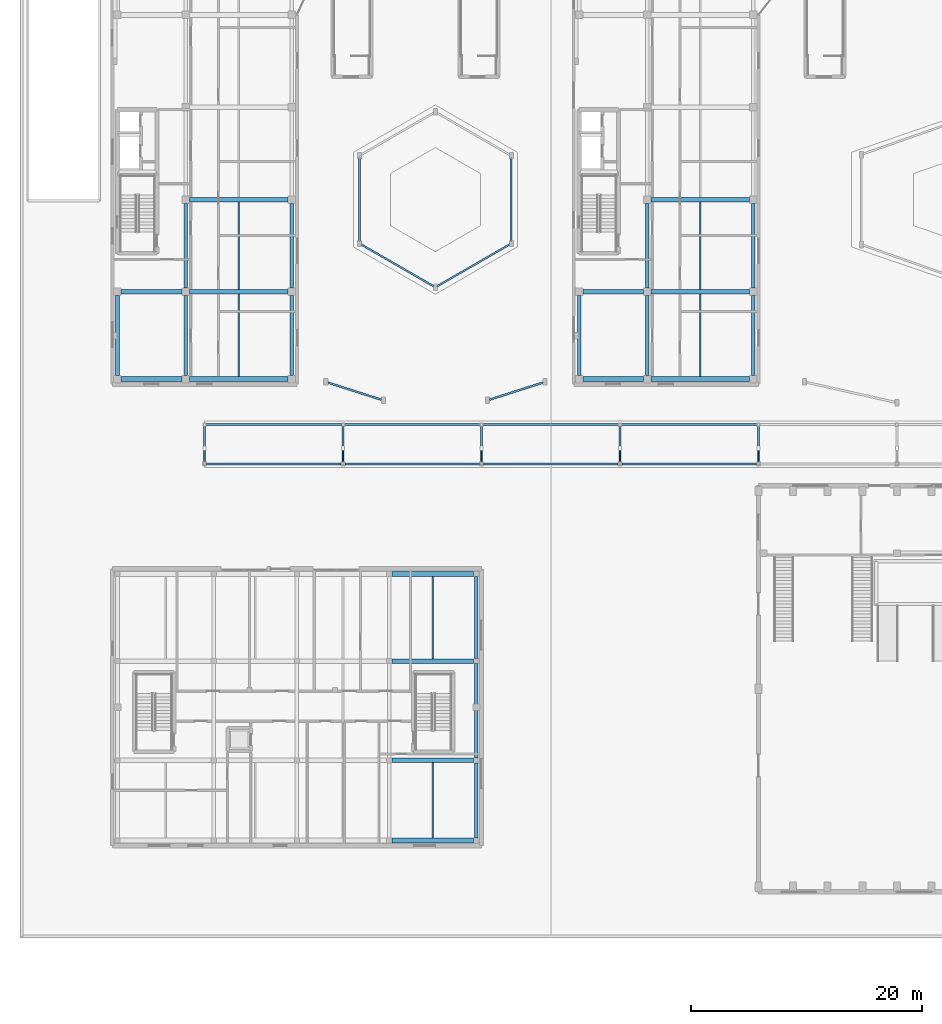
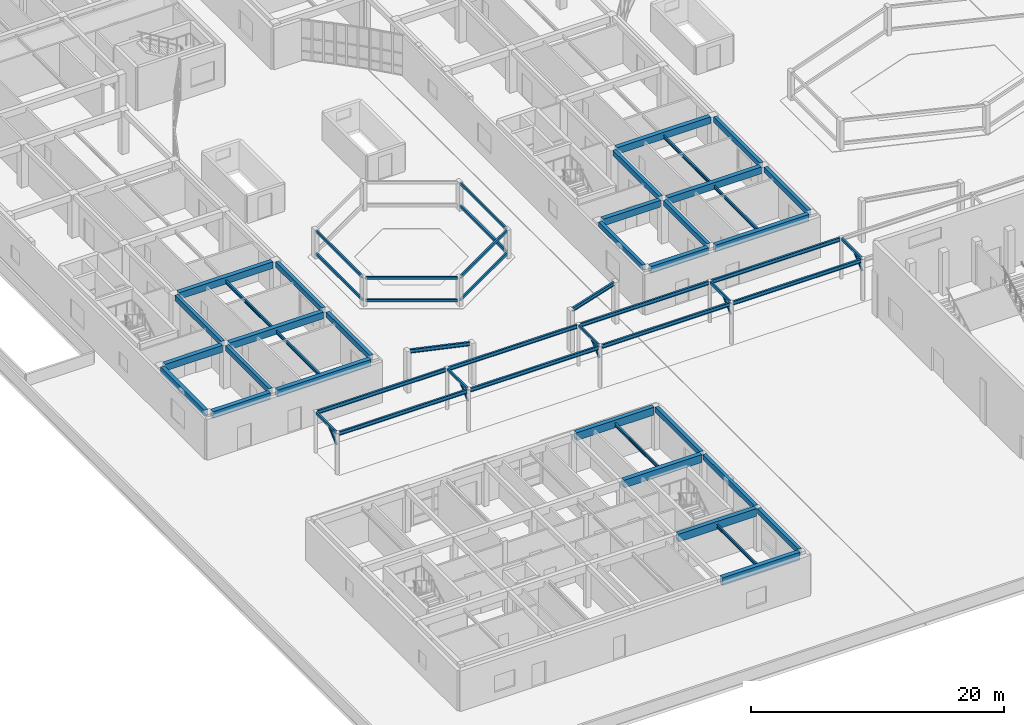
# One storey, part 18 of 114: 48 beams, 13 members.
"""IFC4 building model written with IfcOpenShell, lengths in metres."""

from ifc_helpers import new_model, si_unit, direction, frame, origin, origin_2d, place, context, subcontext, project, spatial, rectangle, hollow_rectangle, i_section, extrude, material, material_profile, profile_set, type_object, element, save


model = new_model("IFC4")

# Units and contexts
model_context = context("Model", 3, precision=1e-05, world=origin(), true_north=direction((0.0, 1.0)))
body_context = subcontext(model_context, "Body", "Model", "MODEL_VIEW")
ifc_project = project(units=[si_unit("LENGTHUNIT", "METRE"), si_unit("AREAUNIT", "SQUARE_METRE"), si_unit("VOLUMEUNIT", "CUBIC_METRE"), si_unit("PLANEANGLEUNIT", "RADIAN"), si_unit("MASSUNIT", "GRAM", prefix="KILO")], contexts=[model_context])

# Site, building, storey
site_placement = place(None, origin())
site = spatial("IfcSite", under=ifc_project, at=site_placement, CompositionType="ELEMENT")
building_placement = place(site_placement, origin())
building = spatial("IfcBuilding", under=site, at=building_placement, Name="Keldmere Railside Commons", CompositionType="ELEMENT")
storey_placement = place(building_placement, origin())
storey = spatial("IfcBuildingStorey", under=building, at=storey_placement, Name="L00", CompositionType="ELEMENT", Elevation=0.0)

# Members
ifc_material_1 = material(Name="Steel F-36 (S355)", Category="steel")
ifc_material_profile_1 = material_profile(ifc_material_1, hollow_rectangle(XDim=0.14990234375, YDim=0.25, WallThickness=0.010009765625, at=origin_2d()), Name="RHS-250x150x10")
ifc_profile_set_1 = profile_set([ifc_material_profile_1], Name="Steel F-36 (S355)")
member_type_1 = type_object("IfcMemberType", Name="Balcony Continuous Planted Trough RHS250x150", PredefinedType="CHORD", material=ifc_profile_set_1)
for number, where, z_axis, x_axis, name in (
    (1, (29.52197265625, 68.139892578125, 0.449951171875), (0.866032022822, -0.499988535315, 0.0), (0.499988535315, 0.866032022822, 0.0), "PLT-1 MEM-HEXPLT-0057"),
    (2, (29.52197265625, 68.139892578125, 2.64990234375), (0.866032022822, -0.499988535315, 0.0), (0.499988535315, 0.866032022822, 0.0), "PLT-1 MEM-HEXPLT-0058"),
    (3, (36.10400390625, 64.4599609375, 0.449951171875), (0.866032022822, 0.499988535315, 0.0), (-0.499988535315, 0.866032022822, 0.0), "PLT-1 MEM-HEXPLT-0059"),
    (4, (36.10400390625, 64.4599609375, 2.64990234375), (0.866032022822, 0.499988535315, 0.0), (-0.499988535315, 0.866032022822, 0.0), "PLT-1 MEM-HEXPLT-0060"),
):
    element("IfcMember", number, at=place(storey_placement, frame(where, z_axis=z_axis, x_axis=x_axis)), inside=storey, type_object=member_type_1, Name=name, PredefinedType="CHORD", context=body_context, shape_type="SweptSolid", body=[
        extrude(hollow_rectangle(XDim=0.14990234375, YDim=0.25, WallThickness=0.010009765625, at=origin_2d()), origin(), (0.0, 0.0, 1.0), 7.360107421875),
    ])
for number, where, z_axis, x_axis, name in (
    (5, (42.58203125, 68.320068359375, 0.449951171875), (0.0, 1.0, 0.0), (-1.0, 0.0, 0.0), "PLT-1 MEM-HEXPLT-0061"),
    (6, (42.58203125, 68.320068359375, 2.64990234375), (0.0, 1.0, 0.0), (-1.0, 0.0, 0.0), "PLT-1 MEM-HEXPLT-0062"),
    (7, (29.41796875, 75.679931640625, 0.449951171875), (0.0, -1.0, 0.0), (1.0, 0.0, 0.0), "PLT-1 MEM-HEXPLT-0067"),
    (8, (29.41796875, 75.679931640625, 2.64990234375), (0.0, -1.0, 0.0), (1.0, 0.0, 0.0), "PLT-1 MEM-HEXPLT-0068"),
):
    element("IfcMember", number, at=place(storey_placement, frame(where, z_axis=z_axis, x_axis=x_axis)), inside=storey, type_object=member_type_1, Name=name, PredefinedType="CHORD", context=body_context, shape_type="SweptSolid", body=[
        extrude(hollow_rectangle(XDim=0.14990234375, YDim=0.25, WallThickness=0.010009765625, at=origin_2d()), origin(), (0.0, 0.0, 1.0), 7.35986328125),
    ])

# Beams
ifc_material_2 = material(Name="Concrete H-35 (C35/45)", Category="concrete")
ifc_material_profile_2 = material_profile(ifc_material_2, rectangle(XDim=0.39990234375, YDim=0.75, at=origin_2d()), Name="RC-400x750")
ifc_profile_set_2 = profile_set([ifc_material_profile_2], Name="Concrete H-35 (C35/45)")
beam_type_1 = type_object("IfcBeamType", Name="Civic Frame RC Girder 400x750", PredefinedType="BEAM", material=ifc_profile_set_2)
for number, where, z_axis, x_axis, name in (
    (9, (32.22509765625, 16.449951171875, 3.784912109375), (1.0, 0.0, 0.0), (0.0, 1.0, 0.0), "BG-2 BM-L00-0431"),
    (10, (32.22509765625, 23.39990234375, 3.784912109375), (1.0, 0.0, 0.0), (0.0, 1.0, 0.0), "BG-2 BM-L00-0439"),
    (11, (32.22509765625, 32.0, 3.784912109375), (1.0, 0.0, 0.0), (0.0, 1.0, 0.0), "BG-2 BM-L00-0448"),
    (12, (32.22509765625, 39.550048828125, 3.784912109375), (1.0, 0.0, 0.0), (0.0, 1.0, 0.0), "BG-2 BM-L00-0452"),
):
    element("IfcBeam", number, at=place(storey_placement, frame(where, z_axis=z_axis, x_axis=x_axis)), inside=storey, type_object=beam_type_1, Name=name, PredefinedType="BEAM", context=body_context, shape_type="SweptSolid", body=[
        extrude(rectangle(XDim=0.39990234375, YDim=0.75, at=origin_2d()), origin(), (0.0, 0.0, 1.0), 7.099853515625),
    ])
ifc_material_profile_3 = material_profile(ifc_material_1, i_section(OverallWidth=0.169921875, OverallDepth=0.360107421875, WebThickness=0.008056640625, FlangeThickness=0.0126953125, at=origin_2d()), Name="IPE-360")
ifc_profile_set_3 = profile_set([ifc_material_profile_3], Name="Steel F-36 (S355)")
beam_type_2 = type_object("IfcBeamType", Name="Colonnade Canopy Girder IPE360", PredefinedType="BEAM", material=ifc_profile_set_3)
beam_1_placement = place(storey_placement, frame((16.159912109375, 49.10009765625, 3.830078125), z_axis=(1.0, 0.0, 0.0), x_axis=(0.0, 1.0, 0.0)))
element("IfcBeam", 13, at=beam_1_placement, inside=storey, type_object=beam_type_2, Name="CNB-1 BM-L00-2670", PredefinedType="BEAM", context=body_context, shape_type="SweptSolid", body=[
    extrude(i_section(OverallWidth=0.169921875, OverallDepth=0.360107421875, WebThickness=0.008056640625, FlangeThickness=0.0126953125, at=origin_2d()), origin(), (0.0, 0.0, 1.0), 11.68017578125),
])
beam_2_placement = place(storey_placement, frame((16.135009765625, 52.5, 3.830078125), z_axis=(1.0, 0.0, 0.0), x_axis=(0.0, 1.0, 0.0)))
element("IfcBeam", 14, at=beam_2_placement, inside=storey, type_object=beam_type_2, Name="CNB-1 BM-L00-2671", PredefinedType="BEAM", context=body_context, shape_type="SweptSolid", body=[
    extrude(i_section(OverallWidth=0.169921875, OverallDepth=0.360107421875, WebThickness=0.008056640625, FlangeThickness=0.0126953125, at=origin_2d()), origin(), (0.0, 0.0, 1.0), 11.72998046875),
])
beam_3_placement = place(storey_placement, frame((28.159912109375, 49.10009765625, 3.830078125), z_axis=(1.0, 0.0, 0.0), x_axis=(0.0, 1.0, 0.0)))
element("IfcBeam", 15, at=beam_3_placement, inside=storey, type_object=beam_type_2, Name="CNB-1 BM-L00-2672", PredefinedType="BEAM", context=body_context, shape_type="SweptSolid", body=[
    extrude(i_section(OverallWidth=0.169921875, OverallDepth=0.360107421875, WebThickness=0.008056640625, FlangeThickness=0.0126953125, at=origin_2d()), origin(), (0.0, 0.0, 1.0), 11.68017578125),
])
beam_4_placement = place(storey_placement, frame((28.135009765625, 52.5, 3.830078125), z_axis=(1.0, 0.0, 0.0), x_axis=(0.0, 1.0, 0.0)))
element("IfcBeam", 16, at=beam_4_placement, inside=storey, type_object=beam_type_2, Name="CNB-1 BM-L00-2673", PredefinedType="BEAM", context=body_context, shape_type="SweptSolid", body=[
    extrude(i_section(OverallWidth=0.169921875, OverallDepth=0.360107421875, WebThickness=0.008056640625, FlangeThickness=0.0126953125, at=origin_2d()), origin(), (0.0, 0.0, 1.0), 11.72998046875),
])
beam_5_placement = place(storey_placement, frame((40.159912109375, 49.10009765625, 3.830078125), z_axis=(1.0, 0.0, 0.0), x_axis=(0.0, 1.0, 0.0)))
element("IfcBeam", 17, at=beam_5_placement, inside=storey, type_object=beam_type_2, Name="CNB-1 BM-L00-2674", PredefinedType="BEAM", context=body_context, shape_type="SweptSolid", body=[
    extrude(i_section(OverallWidth=0.169921875, OverallDepth=0.360107421875, WebThickness=0.008056640625, FlangeThickness=0.0126953125, at=origin_2d()), origin(), (0.0, 0.0, 1.0), 11.68017578125),
])
beam_6_placement = place(storey_placement, frame((40.135009765625, 52.5, 3.830078125), z_axis=(1.0, 0.0, 0.0), x_axis=(0.0, 1.0, 0.0)))
element("IfcBeam", 18, at=beam_6_placement, inside=storey, type_object=beam_type_2, Name="CNB-1 BM-L00-2675", PredefinedType="BEAM", context=body_context, shape_type="SweptSolid", body=[
    extrude(i_section(OverallWidth=0.169921875, OverallDepth=0.360107421875, WebThickness=0.008056640625, FlangeThickness=0.0126953125, at=origin_2d()), origin(), (0.0, 0.0, 1.0), 11.72998046875),
])
beam_7_placement = place(storey_placement, frame((52.159912109375, 49.10009765625, 3.830078125), z_axis=(1.0, 0.0, 0.0), x_axis=(0.0, 1.0, 0.0)))
element("IfcBeam", 19, at=beam_7_placement, inside=storey, type_object=beam_type_2, Name="CNB-1 BM-L00-2676", PredefinedType="BEAM", context=body_context, shape_type="SweptSolid", body=[
    extrude(i_section(OverallWidth=0.169921875, OverallDepth=0.360107421875, WebThickness=0.008056640625, FlangeThickness=0.0126953125, at=origin_2d()), origin(), (0.0, 0.0, 1.0), 11.68017578125),
])
beam_8_placement = place(storey_placement, frame((52.135009765625, 52.5, 3.830078125), z_axis=(1.0, 0.0, 0.0), x_axis=(0.0, 1.0, 0.0)))
element("IfcBeam", 20, at=beam_8_placement, inside=storey, type_object=beam_type_2, Name="CNB-1 BM-L00-2677", PredefinedType="BEAM", context=body_context, shape_type="SweptSolid", body=[
    extrude(i_section(OverallWidth=0.169921875, OverallDepth=0.360107421875, WebThickness=0.008056640625, FlangeThickness=0.0126953125, at=origin_2d()), origin(), (0.0, 0.0, 1.0), 11.72998046875),
])
for number, where, z_axis, x_axis, name in (
    (21, (26.6904296875, 56.138916015625, 3.830078125), (0.952429992, -0.304757461499, 0.0), (0.304757461499, 0.952429992, 0.0), "CNB-1 BM-L00-2714"),
    (22, (40.6904296875, 54.660888671875, 3.830078125), (0.952429992, 0.304757461499, 0.0), (-0.304757461499, 0.952429992, 0.0), "CNB-1 BM-L00-2715"),
):
    element("IfcBeam", number, at=place(storey_placement, frame(where, z_axis=z_axis, x_axis=x_axis)), inside=storey, type_object=beam_type_2, Name=name, PredefinedType="BEAM", context=body_context, shape_type="SweptSolid", body=[
        extrude(i_section(OverallWidth=0.169921875, OverallDepth=0.360107421875, WebThickness=0.008056640625, FlangeThickness=0.0126953125, at=origin_2d()), origin(), (0.0, 0.0, 1.0), 4.849853515625),
    ])

# Members
ifc_material_profile_4 = material_profile(ifc_material_1, hollow_rectangle(XDim=0.1201171875, YDim=0.199951171875, WallThickness=0.008056640625, at=origin_2d()), Name="RHS-200x120x8")
ifc_profile_set_4 = profile_set([ifc_material_profile_4], Name="Steel F-36 (S355)")
member_type_2 = type_object("IfcMemberType", Name="Colonnade Canopy Raking Strut RHS200x120", PredefinedType="STRUT", material=ifc_profile_set_4)
for number, where, z_axis, x_axis, name in (
    (23, (16.0, 49.159912109375, 2.75), (0.0, 0.757989431665, 0.65226683304), (-1.0, 0.0, 0.0), "STR-1 MEM-STR-038"),
    (24, (40.0, 49.159912109375, 2.75), (0.0, 0.757989431665, 0.65226683304), (-1.0, 0.0, 0.0), "STR-1 MEM-STR-040"),
    (25, (64.0, 49.159912109375, 2.75), (0.0, 0.757989431665, 0.65226683304), (-1.0, 0.0, 0.0), "STR-1 MEM-STR-042"),
):
    element("IfcMember", number, at=place(storey_placement, frame(where, z_axis=z_axis, x_axis=x_axis)), inside=storey, type_object=member_type_2, Name=name, PredefinedType="STRUT", context=body_context, shape_type="SweptSolid", body=[
        extrude(hollow_rectangle(XDim=0.1201171875, YDim=0.199951171875, WallThickness=0.008056640625, at=origin_2d()), origin(), (0.0, 0.0, 1.0), 1.701904296875),
    ])

# Beams
ifc_material_profile_5 = material_profile(ifc_material_1, hollow_rectangle(XDim=0.14990234375, YDim=0.25, WallThickness=0.010009765625, at=origin_2d()), Name="RHS-250x150x10")
ifc_profile_set_5 = profile_set([ifc_material_profile_5], Name="Steel F-36 (S355)")
beam_type_3 = type_object("IfcBeamType", Name="Colonnade Transverse Tie RHS250x150", PredefinedType="BEAM", material=ifc_profile_set_5)
for number, where, z_axis, x_axis, name in (
    (26, (16.0, 49.260009765625, 3.8798828125), (0.0, 1.0, 0.0), (-1.0, 0.0, 0.0), "CNB-2 BM-L00-2696"),
    (27, (28.0, 49.260009765625, 3.8798828125), (0.0, 1.0, 0.0), (-1.0, 0.0, 0.0), "CNB-2 BM-L00-2697"),
    (28, (40.0, 49.260009765625, 3.8798828125), (0.0, 1.0, 0.0), (-1.0, 0.0, 0.0), "CNB-2 BM-L00-2698"),
    (29, (52.0, 49.260009765625, 3.8798828125), (0.0, 1.0, 0.0), (-1.0, 0.0, 0.0), "CNB-2 BM-L00-2699"),
    (30, (64.0, 49.260009765625, 3.8798828125), (0.0, 1.0, 0.0), (-1.0, 0.0, 0.0), "CNB-2 BM-L00-2700"),
):
    element("IfcBeam", number, at=place(storey_placement, frame(where, z_axis=z_axis, x_axis=x_axis)), inside=storey, type_object=beam_type_3, Name=name, PredefinedType="BEAM", context=body_context, shape_type="SweptSolid", body=[
        extrude(hollow_rectangle(XDim=0.14990234375, YDim=0.25, WallThickness=0.010009765625, at=origin_2d()), origin(), (0.0, 0.0, 1.0), 3.10498046875),
    ])

# Members
ifc_material_profile_6 = material_profile(ifc_material_1, hollow_rectangle(XDim=0.10009765625, YDim=0.159912109375, WallThickness=0.008056640625, at=origin_2d()), Name="RHS-160x100x8")
ifc_profile_set_6 = profile_set([ifc_material_profile_6], Name="Steel F-36 (S355)")
member_type_3 = type_object("IfcMemberType", Name="Entrance Marquee Strut RHS160x100", PredefinedType="STRUT", material=ifc_profile_set_6)
for number, where, z_axis, x_axis, name in (
    (31, (28.0, 49.159912109375, 2.75), (0.0, 0.757989431665, 0.65226683304), (-1.0, 0.0, 0.0), "STR-2 MEM-STR-039"),
    (32, (52.0, 49.159912109375, 2.75), (0.0, 0.757989431665, 0.65226683304), (-1.0, 0.0, 0.0), "STR-2 MEM-STR-041"),
):
    element("IfcMember", number, at=place(storey_placement, frame(where, z_axis=z_axis, x_axis=x_axis)), inside=storey, type_object=member_type_3, Name=name, PredefinedType="STRUT", context=body_context, shape_type="SweptSolid", body=[
        extrude(hollow_rectangle(XDim=0.10009765625, YDim=0.159912109375, WallThickness=0.008056640625, at=origin_2d()), origin(), (0.0, 0.0, 1.0), 1.701904296875),
    ])

# Beams
ifc_material_profile_7 = material_profile(ifc_material_1, i_section(OverallWidth=0.14990234375, OverallDepth=0.300048828125, WebThickness=0.007080078125, FlangeThickness=0.0107421875, at=origin_2d()), Name="IPE-300")
ifc_profile_set_7 = profile_set([ifc_material_profile_7], Name="Steel F-36 (S355)")
beam_type_4 = type_object("IfcBeamType", Name="Podium & Arcade Steel Joist IPE300", PredefinedType="JOIST", material=ifc_profile_set_7)
beam_9_placement = place(storey_placement, frame((35.77490234375, 16.64990234375, 3.739990234375), z_axis=(0.0, 1.0, 0.0), x_axis=(-1.0, 0.0, 0.0)))
element("IfcBeam", 33, at=beam_9_placement, inside=storey, type_object=beam_type_4, Name="JST-1 BM-L00-0684", PredefinedType="JOIST", context=body_context, shape_type="SweptSolid", body=[
    extrude(i_section(OverallWidth=0.14990234375, OverallDepth=0.300048828125, WebThickness=0.007080078125, FlangeThickness=0.0107421875, at=origin_2d()), origin(), (0.0, 0.0, 1.0), 6.550048828125),
])
for number, where, z_axis, x_axis, name in (
    (34, (35.77490234375, 32.199951171875, 3.739990234375), (0.0, 1.0, 0.0), (-1.0, 0.0, 0.0), "JST-1 BM-L00-0694"),
    (35, (18.949951171875, 56.64990234375, 3.739990234375), (0.0, 1.0, 0.0), (-1.0, 0.0, 0.0), "JST-1 BM-L00-0695"),
    (36, (58.949951171875, 56.64990234375, 3.739990234375), (0.0, 1.0, 0.0), (-1.0, 0.0, 0.0), "JST-1 BM-L00-0696"),
):
    element("IfcBeam", number, at=place(storey_placement, frame(where, z_axis=z_axis, x_axis=x_axis)), inside=storey, type_object=beam_type_4, Name=name, PredefinedType="JOIST", context=body_context, shape_type="SweptSolid", body=[
        extrude(i_section(OverallWidth=0.14990234375, OverallDepth=0.300048828125, WebThickness=0.007080078125, FlangeThickness=0.0107421875, at=origin_2d()), origin(), (0.0, 0.0, 1.0), 7.150146484375),
    ])
for number, where, z_axis, x_axis, name in (
    (37, (18.949951171875, 64.199951171875, 3.739990234375), (0.0, 1.0, 0.0), (-1.0, 0.0, 0.0), "JST-1 BM-L00-0699"),
    (38, (58.949951171875, 64.199951171875, 3.739990234375), (0.0, 1.0, 0.0), (-1.0, 0.0, 0.0), "JST-1 BM-L00-0700"),
):
    element("IfcBeam", number, at=place(storey_placement, frame(where, z_axis=z_axis, x_axis=x_axis)), inside=storey, type_object=beam_type_4, Name=name, PredefinedType="JOIST", context=body_context, shape_type="SweptSolid", body=[
        extrude(i_section(OverallWidth=0.14990234375, OverallDepth=0.300048828125, WebThickness=0.007080078125, FlangeThickness=0.0107421875, at=origin_2d()), origin(), (0.0, 0.0, 1.0), 7.60009765625),
    ])
ifc_material_3 = material(Name="Concrete H-30 (C30/37)", Category="concrete")
ifc_material_profile_8 = material_profile(ifc_material_3, rectangle(XDim=0.35009765625, YDim=0.60009765625, at=origin_2d()), Name="RC-350x600")
ifc_profile_set_8 = profile_set([ifc_material_profile_8], Name="Concrete H-30 (C30/37)")
beam_type_5 = type_object("IfcBeamType", Name="Residential Chord RC Beam 350x600", PredefinedType="BEAM", material=ifc_profile_set_8)
beam_10_placement = place(storey_placement, frame((8.449951171875, 56.77490234375, 3.860107421875), z_axis=(0.0, 1.0, 0.0), x_axis=(-1.0, 0.0, 0.0)))
element("IfcBeam", 39, at=beam_10_placement, inside=storey, type_object=beam_type_5, Name="BG-4 BM-L00-0551", PredefinedType="BEAM", context=body_context, shape_type="SweptSolid", body=[
    extrude(rectangle(XDim=0.35009765625, YDim=0.60009765625, at=origin_2d()), origin(), (0.0, 0.0, 1.0), 6.900146484375),
])
ifc_material_profile_9 = material_profile(ifc_material_3, rectangle(XDim=0.39990234375, YDim=0.64990234375, at=origin_2d()), Name="RC-400x650")
ifc_profile_set_9 = profile_set([ifc_material_profile_9], Name="Concrete H-30 (C30/37)")
beam_type_6 = type_object("IfcBeamType", Name="Residential Spine RC Girder 400x650", PredefinedType="BEAM", material=ifc_profile_set_9)
beam_11_placement = place(storey_placement, frame((8.77490234375, 56.449951171875, 3.8349609375), z_axis=(1.0, 0.0, 0.0), x_axis=(0.0, 1.0, 0.0)))
element("IfcBeam", 40, at=beam_11_placement, inside=storey, type_object=beam_type_6, Name="BG-3 BM-L00-0459", PredefinedType="BEAM", context=body_context, shape_type="SweptSolid", body=[
    extrude(rectangle(XDim=0.39990234375, YDim=0.64990234375, at=origin_2d()), origin(), (0.0, 0.0, 1.0), 5.25),
])
beam_12_placement = place(storey_placement, frame((14.675048828125, 56.449951171875, 3.8349609375), z_axis=(1.0, 0.0, 0.0), x_axis=(0.0, 1.0, 0.0)))
element("IfcBeam", 41, at=beam_12_placement, inside=storey, type_object=beam_type_6, Name="BG-3 BM-L00-0460", PredefinedType="BEAM", context=body_context, shape_type="SweptSolid", body=[
    extrude(rectangle(XDim=0.39990234375, YDim=0.64990234375, at=origin_2d()), origin(), (0.0, 0.0, 1.0), 8.550048828125),
])
beam_13_placement = place(storey_placement, frame((48.77490234375, 56.449951171875, 3.8349609375), z_axis=(1.0, 0.0, 0.0), x_axis=(0.0, 1.0, 0.0)))
element("IfcBeam", 42, at=beam_13_placement, inside=storey, type_object=beam_type_6, Name="BG-3 BM-L00-0461", PredefinedType="BEAM", context=body_context, shape_type="SweptSolid", body=[
    extrude(rectangle(XDim=0.39990234375, YDim=0.64990234375, at=origin_2d()), origin(), (0.0, 0.0, 1.0), 5.25),
])
beam_14_placement = place(storey_placement, frame((54.675048828125, 56.449951171875, 3.8349609375), z_axis=(1.0, 0.0, 0.0), x_axis=(0.0, 1.0, 0.0)))
element("IfcBeam", 43, at=beam_14_placement, inside=storey, type_object=beam_type_6, Name="BG-3 BM-L00-0462", PredefinedType="BEAM", context=body_context, shape_type="SweptSolid", body=[
    extrude(rectangle(XDim=0.39990234375, YDim=0.64990234375, at=origin_2d()), origin(), (0.0, 0.0, 1.0), 8.550048828125),
])
beam_15_placement = place(storey_placement, frame((8.77490234375, 64.0, 3.8349609375), z_axis=(1.0, 0.0, 0.0), x_axis=(0.0, 1.0, 0.0)))
element("IfcBeam", 44, at=beam_15_placement, inside=storey, type_object=beam_type_6, Name="BG-3 BM-L00-0467", PredefinedType="BEAM", context=body_context, shape_type="SweptSolid", body=[
    extrude(rectangle(XDim=0.39990234375, YDim=0.64990234375, at=origin_2d()), origin(), (0.0, 0.0, 1.0), 5.25),
])
beam_16_placement = place(storey_placement, frame((14.675048828125, 64.0, 3.8349609375), z_axis=(1.0, 0.0, 0.0), x_axis=(0.0, 1.0, 0.0)))
element("IfcBeam", 45, at=beam_16_placement, inside=storey, type_object=beam_type_6, Name="BG-3 BM-L00-0468", PredefinedType="BEAM", context=body_context, shape_type="SweptSolid", body=[
    extrude(rectangle(XDim=0.39990234375, YDim=0.64990234375, at=origin_2d()), origin(), (0.0, 0.0, 1.0), 8.550048828125),
])
beam_17_placement = place(storey_placement, frame((48.77490234375, 64.0, 3.8349609375), z_axis=(1.0, 0.0, 0.0), x_axis=(0.0, 1.0, 0.0)))
element("IfcBeam", 46, at=beam_17_placement, inside=storey, type_object=beam_type_6, Name="BG-3 BM-L00-0469", PredefinedType="BEAM", context=body_context, shape_type="SweptSolid", body=[
    extrude(rectangle(XDim=0.39990234375, YDim=0.64990234375, at=origin_2d()), origin(), (0.0, 0.0, 1.0), 5.25),
])
for number, where, z_axis, x_axis, name in (
    (47, (54.675048828125, 64.0, 3.8349609375), (1.0, 0.0, 0.0), (0.0, 1.0, 0.0), "BG-3 BM-L00-0470"),
    (48, (14.675048828125, 72.0, 3.8349609375), (1.0, 0.0, 0.0), (0.0, 1.0, 0.0), "BG-3 BM-L00-0475"),
    (49, (54.675048828125, 72.0, 3.8349609375), (1.0, 0.0, 0.0), (0.0, 1.0, 0.0), "BG-3 BM-L00-0476"),
):
    element("IfcBeam", number, at=place(storey_placement, frame(where, z_axis=z_axis, x_axis=x_axis)), inside=storey, type_object=beam_type_6, Name=name, PredefinedType="BEAM", context=body_context, shape_type="SweptSolid", body=[
        extrude(rectangle(XDim=0.39990234375, YDim=0.64990234375, at=origin_2d()), origin(), (0.0, 0.0, 1.0), 8.550048828125),
    ])
ifc_material_profile_10 = material_profile(ifc_material_3, rectangle(XDim=0.300048828125, YDim=0.5, at=origin_2d()), Name="RC-300x500")
ifc_profile_set_10 = profile_set([ifc_material_profile_10], Name="Concrete H-30 (C30/37)")
beam_type_7 = type_object("IfcBeamType", Name="Secondary Frame RC Beam 300x500", PredefinedType="BEAM", material=ifc_profile_set_10)
beam_18_placement = place(storey_placement, frame((14.35009765625, 56.77490234375, 3.909912109375), z_axis=(0.0, 1.0, 0.0), x_axis=(-1.0, 0.0, 0.0)))
element("IfcBeam", 50, at=beam_18_placement, inside=storey, type_object=beam_type_7, Name="BG-5 BM-L00-0556", PredefinedType="BEAM", context=body_context, shape_type="SweptSolid", body=[
    extrude(rectangle(XDim=0.300048828125, YDim=0.5, at=origin_2d()), origin(), (0.0, 0.0, 1.0), 6.900146484375),
])
beam_19_placement = place(storey_placement, frame((14.35009765625, 64.324951171875, 3.909912109375), z_axis=(0.0, 1.0, 0.0), x_axis=(-1.0, 0.0, 0.0)))
element("IfcBeam", 51, at=beam_19_placement, inside=storey, type_object=beam_type_7, Name="BG-5 BM-L00-0557", PredefinedType="BEAM", context=body_context, shape_type="SweptSolid", body=[
    extrude(rectangle(XDim=0.300048828125, YDim=0.5, at=origin_2d()), origin(), (0.0, 0.0, 1.0), 7.35009765625),
])
beam_20_placement = place(storey_placement, frame((23.550048828125, 56.77490234375, 3.909912109375), z_axis=(0.0, 1.0, 0.0), x_axis=(-1.0, 0.0, 0.0)))
element("IfcBeam", 52, at=beam_20_placement, inside=storey, type_object=beam_type_7, Name="BG-5 BM-L00-0565", PredefinedType="BEAM", context=body_context, shape_type="SweptSolid", body=[
    extrude(rectangle(XDim=0.300048828125, YDim=0.5, at=origin_2d()), origin(), (0.0, 0.0, 1.0), 6.900146484375),
])
beam_21_placement = place(storey_placement, frame((23.550048828125, 64.324951171875, 3.909912109375), z_axis=(0.0, 1.0, 0.0), x_axis=(-1.0, 0.0, 0.0)))
element("IfcBeam", 53, at=beam_21_placement, inside=storey, type_object=beam_type_7, Name="BG-5 BM-L00-0566", PredefinedType="BEAM", context=body_context, shape_type="SweptSolid", body=[
    extrude(rectangle(XDim=0.300048828125, YDim=0.5, at=origin_2d()), origin(), (0.0, 0.0, 1.0), 7.35009765625),
])
beam_22_placement = place(storey_placement, frame((39.550048828125, 16.675048828125, 3.909912109375), z_axis=(0.0, 1.0, 0.0), x_axis=(-1.0, 0.0, 0.0)))
element("IfcBeam", 54, at=beam_22_placement, inside=storey, type_object=beam_type_7, Name="BG-5 BM-L00-0579", PredefinedType="BEAM", context=body_context, shape_type="SweptSolid", body=[
    extrude(rectangle(XDim=0.300048828125, YDim=0.5, at=origin_2d()), origin(), (0.0, 0.0, 1.0), 6.5),
])
beam_23_placement = place(storey_placement, frame((39.550048828125, 23.625, 3.909912109375), z_axis=(0.0, 1.0, 0.0), x_axis=(-1.0, 0.0, 0.0)))
element("IfcBeam", 55, at=beam_23_placement, inside=storey, type_object=beam_type_7, Name="BG-5 BM-L00-0580", PredefinedType="BEAM", context=body_context, shape_type="SweptSolid", body=[
    extrude(rectangle(XDim=0.300048828125, YDim=0.5, at=origin_2d()), origin(), (0.0, 0.0, 1.0), 8.14990234375),
])
beam_24_placement = place(storey_placement, frame((39.550048828125, 32.22509765625, 3.909912109375), z_axis=(0.0, 1.0, 0.0), x_axis=(-1.0, 0.0, 0.0)))
element("IfcBeam", 56, at=beam_24_placement, inside=storey, type_object=beam_type_7, Name="BG-5 BM-L00-0581", PredefinedType="BEAM", context=body_context, shape_type="SweptSolid", body=[
    extrude(rectangle(XDim=0.300048828125, YDim=0.5, at=origin_2d()), origin(), (0.0, 0.0, 1.0), 7.099853515625),
])
for number, where, z_axis, x_axis, name in (
    (57, (48.449951171875, 56.77490234375, 3.909912109375), (0.0, 1.0, 0.0), (-1.0, 0.0, 0.0), "BG-5 BM-L00-0588"),
    (58, (54.35009765625, 56.77490234375, 3.909912109375), (0.0, 1.0, 0.0), (-1.0, 0.0, 0.0), "BG-5 BM-L00-0590"),
):
    element("IfcBeam", number, at=place(storey_placement, frame(where, z_axis=z_axis, x_axis=x_axis)), inside=storey, type_object=beam_type_7, Name=name, PredefinedType="BEAM", context=body_context, shape_type="SweptSolid", body=[
        extrude(rectangle(XDim=0.300048828125, YDim=0.5, at=origin_2d()), origin(), (0.0, 0.0, 1.0), 6.900146484375),
    ])
beam_25_placement = place(storey_placement, frame((54.35009765625, 64.324951171875, 3.909912109375), z_axis=(0.0, 1.0, 0.0), x_axis=(-1.0, 0.0, 0.0)))
element("IfcBeam", 59, at=beam_25_placement, inside=storey, type_object=beam_type_7, Name="BG-5 BM-L00-0591", PredefinedType="BEAM", context=body_context, shape_type="SweptSolid", body=[
    extrude(rectangle(XDim=0.300048828125, YDim=0.5, at=origin_2d()), origin(), (0.0, 0.0, 1.0), 7.35009765625),
])
beam_26_placement = place(storey_placement, frame((63.550048828125, 56.77490234375, 3.909912109375), z_axis=(0.0, 1.0, 0.0), x_axis=(-1.0, 0.0, 0.0)))
element("IfcBeam", 60, at=beam_26_placement, inside=storey, type_object=beam_type_7, Name="BG-5 BM-L00-0596", PredefinedType="BEAM", context=body_context, shape_type="SweptSolid", body=[
    extrude(rectangle(XDim=0.300048828125, YDim=0.5, at=origin_2d()), origin(), (0.0, 0.0, 1.0), 6.900146484375),
])
beam_27_placement = place(storey_placement, frame((63.550048828125, 64.324951171875, 3.909912109375), z_axis=(0.0, 1.0, 0.0), x_axis=(-1.0, 0.0, 0.0)))
element("IfcBeam", 61, at=beam_27_placement, inside=storey, type_object=beam_type_7, Name="BG-5 BM-L00-0597", PredefinedType="BEAM", context=body_context, shape_type="SweptSolid", body=[
    extrude(rectangle(XDim=0.300048828125, YDim=0.5, at=origin_2d()), origin(), (0.0, 0.0, 1.0), 7.35009765625),
])

save(model, "model.ifc")
